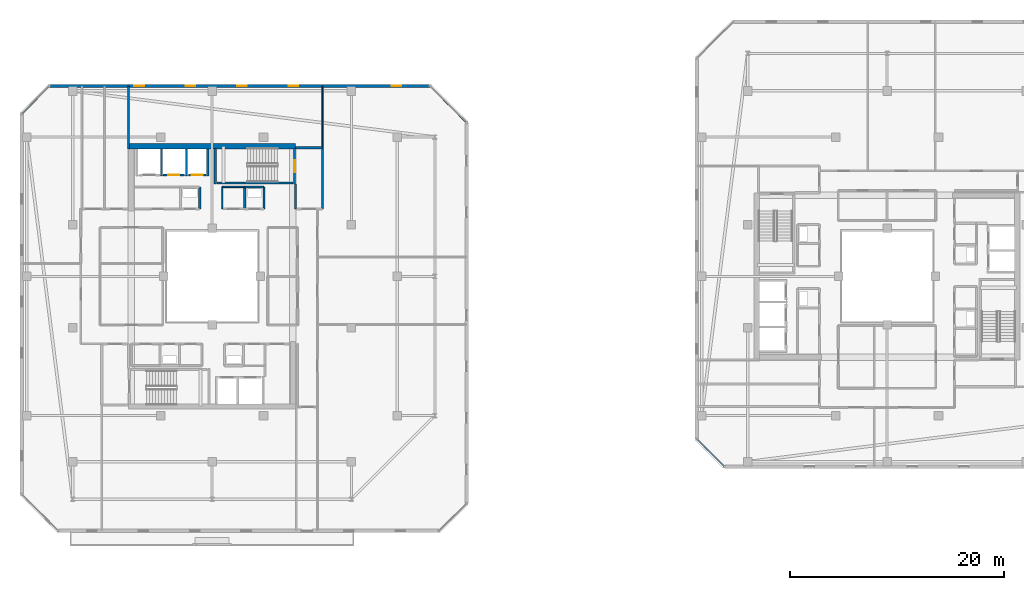
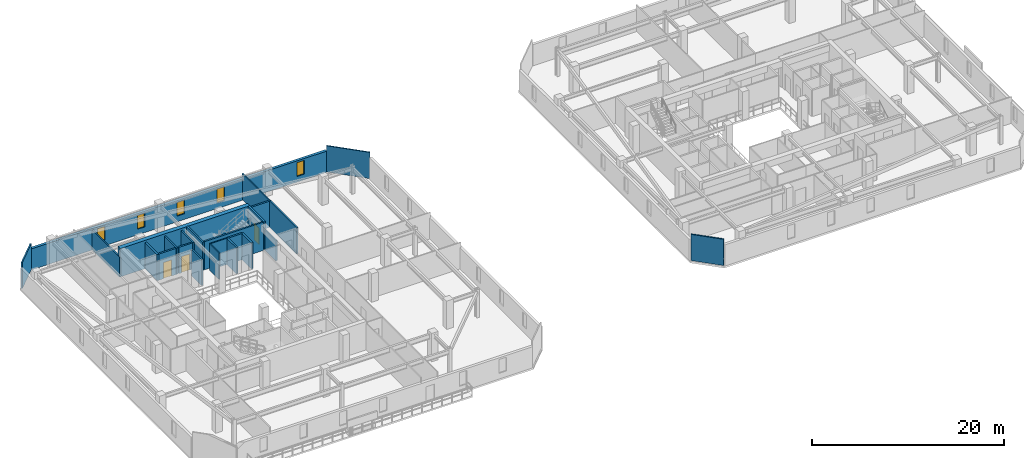
# One storey, part 24 of 35: 24 walls, 5 windows, 3 doors, 8 openings.
"""IFC4 building model written with IfcOpenShell, lengths in metres."""

from ifc_helpers import new_model, si_unit, direction, frame, frame_2d, origin, place, context, subcontext, project, spatial, rectangle, extrude, material, layer, layer_set, type_object, element, fill, save


model = new_model("IFC4")

# Units and contexts
model_context = context("Model", 3, precision=1e-05, world=origin(), true_north=direction((0.0, 1.0)))
body_context = subcontext(model_context, "Body", "Model", "MODEL_VIEW")
ifc_project = project(units=[si_unit("LENGTHUNIT", "METRE"), si_unit("AREAUNIT", "SQUARE_METRE"), si_unit("VOLUMEUNIT", "CUBIC_METRE"), si_unit("PLANEANGLEUNIT", "RADIAN"), si_unit("MASSUNIT", "GRAM", prefix="KILO")], contexts=[model_context])

# Site, building, storey
site_placement = place(None, origin())
site = spatial("IfcSite", under=ifc_project, at=site_placement, CompositionType="ELEMENT")
building_placement = place(site_placement, origin())
building = spatial("IfcBuilding", under=site, at=building_placement, Name="Thornwick Lancets Civic Towers", CompositionType="ELEMENT")
storey_placement = place(building_placement, frame((0.0, 0.0, 265.5)))
storey = spatial("IfcBuildingStorey", under=building, at=storey_placement, Name="L71", CompositionType="ELEMENT", Elevation=265.5)

# Wall, opening, door
ifc_material_1 = material(Name="Concrete blockwork C40/50", Category="masonry")
ifc_layer_1 = layer(ifc_material_1, 0.199951171875, Name="Concrete blockwork C40/50")
ifc_layer_set_1 = layer_set([ifc_layer_1], Name="Concrete blockwork C40/50")
wall_type_1 = type_object("IfcWallType", Name="WALL_COMP_200", PredefinedType="STANDARD", material=ifc_layer_set_1)
wall_1_placement = place(storey_placement, frame((24.919921875, 36.449951171875, 0.0), z_axis=(0.0, 0.0, 1.0), x_axis=(-1.0, 0.0, 0.0)))
wall_1 = element("IfcWall", 1, at=wall_1_placement, inside=storey, type_object=wall_type_1, Name="L71 Hoistway Front Wall FL-A2", PredefinedType="STANDARD", context=body_context, shape_type="SweptSolid", body=[
    extrude(rectangle(XDim=1.639892578125, YDim=0.199951171875, at=frame_2d((0.81982421875, 0.0))), origin(), (0.0, 0.0, 1.0), 3.340087890625),
])
opening_1_placement = place(wall_1_placement, frame((0.31005859375, 0.0, 0.0)))
opening_1 = element("IfcOpeningElement", 2, at=opening_1_placement, cuts=wall_1, Name="Opening LD-FL-A2", PredefinedType="OPENING", context=body_context, shape_type="SweptSolid", body=[
    extrude(rectangle(XDim=1.02001953125, YDim=2.06005859375, at=frame_2d((0.510009765625, 1.030029296875))), frame((0.0, 0.10986328125, 0.0), z_axis=(0.0, -1.0, 0.0), x_axis=(1.0, 0.0, 0.0)), (0.0, 0.0, 1.0), 0.219970703125),
])
ifc_material_2 = material(Name="Brushed bronze stainless steel", Category="steel")
door_type_1 = type_object("IfcDoorType", Name="DOOR_LIFT_SLIDE", OperationType="SLIDING_TO_LEFT", PredefinedType="DOOR", material=ifc_material_2)
door_1_placement = place(opening_1_placement, origin())
door_1 = element("IfcDoor", 3, at=door_1_placement, inside=storey, type_object=door_type_1, Name="L71 Sliding Lift Landing Door LD-FL-A2", OperationType="SLIDING_TO_LEFT", OverallHeight=2.06005859375, OverallWidth=1.02001953125, PredefinedType="DOOR", context=body_context, shape_type="SweptSolid", body=[
    extrude(rectangle(XDim=1.02001953125, YDim=2.06005859375, at=frame_2d((0.510009765625, 1.030029296875))), frame((0.0, 0.02490234375, 0.0), z_axis=(0.0, -1.0, 0.0), x_axis=(1.0, 0.0, 0.0)), (0.0, 0.0, 1.0), 0.050048828125),
])
fill(opening_1, door_1)

wall_2_placement = place(storey_placement, frame((22.919921875, 36.449951171875, 0.0), z_axis=(0.0, 0.0, 1.0), x_axis=(-1.0, 0.0, 0.0)))
wall_2 = element("IfcWall", 4, at=wall_2_placement, inside=storey, type_object=wall_type_1, Name="L71 Hoistway Front Wall PL-AH2", PredefinedType="STANDARD", context=body_context, shape_type="SweptSolid", body=[
    extrude(rectangle(XDim=1.989990234375, YDim=0.199951171875, at=frame_2d((0.9951171875, 0.0))), origin(), (0.0, 0.0, 1.0), 3.340087890625),
])
opening_2_placement = place(wall_2_placement, frame((0.485107421875, 0.0, 0.0)))
opening_2 = element("IfcOpeningElement", 5, at=opening_2_placement, cuts=wall_2, Name="Opening LD-PL-AH2", PredefinedType="OPENING", context=body_context, shape_type="SweptSolid", body=[
    extrude(rectangle(XDim=1.02001953125, YDim=2.06005859375, at=frame_2d((0.510009765625, 1.030029296875))), frame((0.0, 0.10986328125, 0.0), z_axis=(0.0, -1.0, 0.0), x_axis=(1.0, 0.0, 0.0)), (0.0, 0.0, 1.0), 0.219970703125),
])
door_2_placement = place(opening_2_placement, origin())
door_2 = element("IfcDoor", 6, at=door_2_placement, inside=storey, type_object=door_type_1, Name="L71 Sliding Lift Landing Door LD-PL-AH2", OperationType="SLIDING_TO_LEFT", OverallHeight=2.06005859375, OverallWidth=1.02001953125, PredefinedType="DOOR", context=body_context, shape_type="SweptSolid", body=[
    extrude(rectangle(XDim=1.02001953125, YDim=2.06005859375, at=frame_2d((0.510009765625, 1.030029296875))), frame((0.0, 0.02490234375, 0.0), z_axis=(0.0, -1.0, 0.0), x_axis=(1.0, 0.0, 0.0)), (0.0, 0.0, 1.0), 0.050048828125),
])
fill(opening_2, door_2)

# Walls
for number, where, z_axis, x_axis, name in (
    (7, (25.10009765625, 36.35205078125, 0.0), (0.0, 0.0, 1.0), (0.0, 1.0, 0.0), "L71 Hoistway Shaft Wall FL-A2 E"),
    (8, (23.10009765625, 36.35205078125, 0.0), (0.0, 0.0, 1.0), (0.0, 1.0, 0.0), "L71 Hoistway Shaft Wall FL-A2 W"),
    (9, (20.77490234375, 36.35205078125, 0.0), (0.0, 0.0, 1.0), (0.0, 1.0, 0.0), "L71 Hoistway Shaft Wall PL-AH2 W"),
):
    element("IfcWall", number, at=place(storey_placement, frame(where, z_axis=z_axis, x_axis=x_axis)), inside=storey, type_object=wall_type_1, Name=name, PredefinedType="STANDARD", context=body_context, shape_type="SweptSolid", body=[
        extrude(rectangle(XDim=2.535888671875, YDim=0.199951171875, at=frame_2d((1.26806640625, 0.0))), origin(), (0.0, 0.0, 1.0), 3.340087890625),
    ])
wall_3_placement = place(storey_placement, frame((35.800048828125, 33.300048828125, 0.0), z_axis=(0.0, 0.0, 1.0), x_axis=(0.0, 1.0, 0.0)))
element("IfcWall", 10, at=wall_3_placement, inside=storey, type_object=wall_type_1, Name="L71 Partition L71-A-FFLOB2 E2", PredefinedType="STANDARD", context=body_context, shape_type="SweptSolid", body=[
    extrude(rectangle(XDim=5.699951171875, YDim=0.199951171875, at=frame_2d((2.85009765625, 0.0))), origin(), (0.0, 0.0, 1.0), 3.340087890625),
])
wall_4_placement = place(storey_placement, frame((35.800048828125, 39.0, 0.0), z_axis=(0.0, 0.0, 1.0), x_axis=(-1.0, 0.0, 0.0)))
element("IfcWall", 11, at=wall_4_placement, inside=storey, type_object=wall_type_1, Name="L71 Partition L71-A-FFLOB2 E3", PredefinedType="STANDARD", context=body_context, shape_type="SweptSolid", body=[
    extrude(rectangle(XDim=2.5, YDim=0.199951171875, at=frame_2d((1.25, 0.0))), origin(), (0.0, 0.0, 1.0), 3.340087890625),
])
wall_5_placement = place(storey_placement, frame((33.300048828125, 35.60009765625, 0.0), z_axis=(0.0, 0.0, 1.0), x_axis=(0.0, -1.0, 0.0)))
element("IfcWall", 12, at=wall_5_placement, inside=storey, type_object=wall_type_1, Name="L71 Partition L71-A-FFLOB2 E4", PredefinedType="STANDARD", context=body_context, shape_type="SweptSolid", body=[
    extrude(rectangle(XDim=2.300048828125, YDim=0.199951171875, at=frame_2d((1.14990234375, 0.0))), origin(), (0.0, 0.0, 1.0), 2.544921875),
])
for number, where, z_axis, x_axis, name in (
    (13, (24.35009765625, 33.300048828125, 0.0), (0.0, 0.0, 1.0), (0.0, 1.0, 0.0), "L71 Partition L71-A-DUCT2 E2"),
    (14, (30.35009765625, 33.300048828125, 0.0), (0.0, 0.0, 1.0), (0.0, 1.0, 0.0), "L71 Partition L71-A-RISER2 E2"),
):
    element("IfcWall", number, at=place(storey_placement, frame(where, z_axis=z_axis, x_axis=x_axis)), inside=storey, type_object=wall_type_1, Name=name, PredefinedType="STANDARD", context=body_context, shape_type="SweptSolid", body=[
        extrude(rectangle(XDim=2.050048828125, YDim=0.199951171875, at=frame_2d((1.02490234375, 0.0))), origin(), (0.0, 0.0, 1.0), 3.340087890625),
    ])
wall_6_placement = place(storey_placement, frame((30.35009765625, 35.35009765625, 0.0), z_axis=(0.0, 0.0, 1.0), x_axis=(-1.0, 0.0, 0.0)))
element("IfcWall", 15, at=wall_6_placement, inside=storey, type_object=wall_type_1, Name="L71 Partition L71-A-RISER2 E3", PredefinedType="STANDARD", context=body_context, shape_type="SweptSolid", body=[
    extrude(rectangle(XDim=1.800048828125, YDim=0.199951171875, at=frame_2d((0.89990234375, 0.0))), origin(), (0.0, 0.0, 1.0), 3.340087890625),
])
wall_7_placement = place(storey_placement, frame((28.550048828125, 35.35009765625, 0.0), z_axis=(0.0, 0.0, 1.0), x_axis=(0.0, -1.0, 0.0)))
element("IfcWall", 16, at=wall_7_placement, inside=storey, type_object=wall_type_1, Name="L71 Partition L71-A-RISER2 E4", PredefinedType="STANDARD", context=body_context, shape_type="SweptSolid", body=[
    extrude(rectangle(XDim=2.050048828125, YDim=0.199951171875, at=frame_2d((1.02490234375, 0.0))), origin(), (0.0, 0.0, 1.0), 3.340087890625),
])
ifc_material_3 = material(Name="Concrete C50/60", Category="concrete")
ifc_layer_2 = layer(ifc_material_3, 0.5, Name="Concrete C50/60")
ifc_layer_set_2 = layer_set([ifc_layer_2], Name="Concrete C50/60")
wall_type_2 = type_object("IfcWallType", Name="WALL_CORE_500", PredefinedType="SHEAR", material=ifc_layer_set_2)
wall_8_placement = place(storey_placement, frame((17.699951171875, 39.14990234375, 0.0), z_axis=(0.0, 0.0, 1.0), x_axis=(1.0, 0.0, 0.0)))
element("IfcWall", 17, at=wall_8_placement, inside=storey, type_object=wall_type_2, Name="L71 Split Core A2 Shear Wall N", PredefinedType="SHEAR", context=body_context, shape_type="SweptSolid", body=[
    extrude(rectangle(XDim=15.60009765625, YDim=0.5, at=frame_2d((7.800048828125, 0.0))), origin(), (0.0, 0.0, 1.0), 3.60009765625),
])

# Wall, openings, windows
ifc_material_4 = material(Name="Insulated buff terracotta rainscreen on concrete C40/50", Category="masonry")
ifc_layer_3 = layer(ifc_material_4, 0.320068359375, Name="Insulated buff terracotta rainscreen on concrete C40/50")
ifc_layer_set_3 = layer_set([ifc_layer_3], Name="Insulated buff terracotta rainscreen on concrete C40/50")
wall_type_3 = type_object("IfcWallType", Name="WALL_EXT_TERRA_320", PredefinedType="STANDARD", material=ifc_layer_set_3)
wall_9_placement = place(storey_placement, frame((45.853515625, 44.761962890625, 0.0), z_axis=(0.0, 0.0, 1.0), x_axis=(-0.999999997144, 7.5574884e-05, 0.0)))
wall_9 = element("IfcWall", 18, at=wall_9_placement, inside=storey, type_object=wall_type_3, Name="L71 Tower A Terracotta Facade Wall E4", PredefinedType="STANDARD", context=body_context, shape_type="SweptSolid", body=[
    extrude(rectangle(XDim=35.534912109375, YDim=0.320068359375, at=frame_2d((17.767578125, 0.0))), origin(), (0.0, 0.0, 1.0), 2.699951171875),
])
opening_3_placement = place(wall_9_placement, frame((2.699951171875, 0.0, 0.719970703125)))
opening_3 = element("IfcOpeningElement", 19, at=opening_3_placement, cuts=wall_9, Name="Opening WL-01", PredefinedType="OPENING", context=body_context, shape_type="SweptSolid", body=[
    extrude(rectangle(XDim=0.89990234375, YDim=1.75, at=frame_2d((0.449951171875, 0.875))), frame((0.0, 0.169921875, 0.0), z_axis=(0.0, -1.0, 0.0), x_axis=(1.0, 0.0, 0.0)), (0.0, 0.0, 1.0), 0.340087890625),
])
opening_4_placement = place(wall_9_placement, frame((12.300048828125, 0.0, 0.719970703125)))
opening_4 = element("IfcOpeningElement", 20, at=opening_4_placement, cuts=wall_9, Name="Opening WL-01", PredefinedType="OPENING", context=body_context, shape_type="SweptSolid", body=[
    extrude(rectangle(XDim=0.89990234375, YDim=1.75, at=frame_2d((0.449951171875, 0.875))), frame((0.0, 0.169921875, 0.0), z_axis=(0.0, -1.0, 0.0), x_axis=(1.0, 0.0, 0.0)), (0.0, 0.0, 1.0), 0.340087890625),
])
opening_5_placement = place(wall_9_placement, frame((17.10009765625, 0.0, 0.719970703125)))
opening_5 = element("IfcOpeningElement", 21, at=opening_5_placement, cuts=wall_9, Name="Opening WL-01", PredefinedType="OPENING", context=body_context, shape_type="SweptSolid", body=[
    extrude(rectangle(XDim=0.89990234375, YDim=1.75, at=frame_2d((0.449951171875, 0.875))), frame((0.0, 0.169921875, 0.0), z_axis=(0.0, -1.0, 0.0), x_axis=(1.0, 0.0, 0.0)), (0.0, 0.0, 1.0), 0.340087890625),
])
opening_6_placement = place(wall_9_placement, frame((21.89990234375, 0.0, 0.719970703125)))
opening_6 = element("IfcOpeningElement", 22, at=opening_6_placement, cuts=wall_9, Name="Opening WL-01", PredefinedType="OPENING", context=body_context, shape_type="SweptSolid", body=[
    extrude(rectangle(XDim=0.89990234375, YDim=1.75, at=frame_2d((0.449951171875, 0.875))), frame((0.0, 0.169921875, 0.0), z_axis=(0.0, -1.0, 0.0), x_axis=(1.0, 0.0, 0.0)), (0.0, 0.0, 1.0), 0.340087890625),
])
opening_7_placement = place(wall_9_placement, frame((26.699951171875, 0.0, 0.719970703125)))
opening_7 = element("IfcOpeningElement", 23, at=opening_7_placement, cuts=wall_9, Name="Opening WL-01", PredefinedType="OPENING", context=body_context, shape_type="SweptSolid", body=[
    extrude(rectangle(XDim=0.89990234375, YDim=1.75, at=frame_2d((0.449951171875, 0.875))), frame((0.0, 0.169921875, 0.0), z_axis=(0.0, -1.0, 0.0), x_axis=(1.0, 0.0, 0.0)), (0.0, 0.0, 1.0), 0.340087890625),
])
ifc_material_5 = material(Name="Clear low-e double glazing in bronze frame", Category="glass")
window_type = type_object("IfcWindowType", Name="WIN_LANCET_900", PartitioningType="SINGLE_PANEL", PredefinedType="WINDOW", material=ifc_material_5)
window_1_placement = place(opening_3_placement, origin())
window_1 = element("IfcWindow", 24, at=window_1_placement, inside=storey, type_object=window_type, Name="L71 Tower A Staggered Lancet Window E4-1", OverallHeight=1.75, OverallWidth=0.89990234375, PartitioningType="SINGLE_PANEL", PredefinedType="WINDOW", context=body_context, shape_type="SweptSolid", body=[
    extrude(rectangle(XDim=0.89990234375, YDim=1.75, at=frame_2d((0.449951171875, 0.875))), frame((0.0, 0.030029296875, 0.0), z_axis=(0.0, -1.0, 0.0), x_axis=(1.0, 0.0, 0.0)), (0.0, 0.0, 1.0), 0.06005859375),
])
fill(opening_3, window_1)
window_2_placement = place(opening_4_placement, origin())
window_2 = element("IfcWindow", 25, at=window_2_placement, inside=storey, type_object=window_type, Name="L71 Tower A Staggered Lancet Window E4-2", OverallHeight=1.75, OverallWidth=0.89990234375, PartitioningType="SINGLE_PANEL", PredefinedType="WINDOW", context=body_context, shape_type="SweptSolid", body=[
    extrude(rectangle(XDim=0.89990234375, YDim=1.75, at=frame_2d((0.449951171875, 0.875))), frame((0.0, 0.030029296875, 0.0), z_axis=(0.0, -1.0, 0.0), x_axis=(1.0, 0.0, 0.0)), (0.0, 0.0, 1.0), 0.06005859375),
])
fill(opening_4, window_2)
window_3_placement = place(opening_5_placement, origin())
window_3 = element("IfcWindow", 26, at=window_3_placement, inside=storey, type_object=window_type, Name="L71 Tower A Staggered Lancet Window E4-3", OverallHeight=1.75, OverallWidth=0.89990234375, PartitioningType="SINGLE_PANEL", PredefinedType="WINDOW", context=body_context, shape_type="SweptSolid", body=[
    extrude(rectangle(XDim=0.89990234375, YDim=1.75, at=frame_2d((0.449951171875, 0.875))), frame((0.0, 0.030029296875, 0.0), z_axis=(0.0, -1.0, 0.0), x_axis=(1.0, 0.0, 0.0)), (0.0, 0.0, 1.0), 0.06005859375),
])
fill(opening_5, window_3)
window_4_placement = place(opening_6_placement, origin())
window_4 = element("IfcWindow", 27, at=window_4_placement, inside=storey, type_object=window_type, Name="L71 Tower A Staggered Lancet Window E4-4", OverallHeight=1.75, OverallWidth=0.89990234375, PartitioningType="SINGLE_PANEL", PredefinedType="WINDOW", context=body_context, shape_type="SweptSolid", body=[
    extrude(rectangle(XDim=0.89990234375, YDim=1.75, at=frame_2d((0.449951171875, 0.875))), frame((0.0, 0.030029296875, 0.0), z_axis=(0.0, -1.0, 0.0), x_axis=(1.0, 0.0, 0.0)), (0.0, 0.0, 1.0), 0.06005859375),
])
fill(opening_6, window_4)
window_5_placement = place(opening_7_placement, origin())
window_5 = element("IfcWindow", 28, at=window_5_placement, inside=storey, type_object=window_type, Name="L71 Tower A Staggered Lancet Window E4-5", OverallHeight=1.75, OverallWidth=0.89990234375, PartitioningType="SINGLE_PANEL", PredefinedType="WINDOW", context=body_context, shape_type="SweptSolid", body=[
    extrude(rectangle(XDim=0.89990234375, YDim=1.75, at=frame_2d((0.449951171875, 0.875))), frame((0.0, 0.030029296875, 0.0), z_axis=(0.0, -1.0, 0.0), x_axis=(1.0, 0.0, 0.0)), (0.0, 0.0, 1.0), 0.06005859375),
])
fill(opening_7, window_5)

# Walls
ifc_material_6 = material(Name="Acoustic gypsum board partition")
ifc_layer_4 = layer(ifc_material_6, 0.1201171875, Name="Acoustic gypsum board partition")
ifc_layer_set_4 = layer_set([ifc_layer_4], Name="Acoustic gypsum board partition")
wall_type_4 = type_object("IfcWallType", Name="WALL_PART_120", PredefinedType="PARTITIONING", material=ifc_layer_set_4)
wall_10_placement = place(storey_placement, frame((26.449951171875, 33.300048828125, 0.0), z_axis=(0.0, 0.0, 1.0), x_axis=(0.0, 1.0, 0.0)))
element("IfcWall", 29, at=wall_10_placement, inside=storey, type_object=wall_type_4, Name="L71 Partition L71-A-ITR E1", PredefinedType="PARTITIONING", context=body_context, shape_type="SweptSolid", body=[
    extrude(rectangle(XDim=2.050048828125, YDim=0.1201171875, at=frame_2d((1.02490234375, 0.0))), origin(), (0.0, 0.0, 1.0), 3.340087890625),
])
wall_11_placement = place(storey_placement, frame((26.449951171875, 35.35009765625, 0.0), z_axis=(0.0, 0.0, 1.0), x_axis=(1.0, 0.0, 0.0)))
element("IfcWall", 30, at=wall_11_placement, inside=storey, type_object=wall_type_4, Name="L71 Partition L71-A-ITR E2", PredefinedType="PARTITIONING", context=body_context, shape_type="SweptSolid", body=[
    extrude(rectangle(XDim=2.10009765625, YDim=0.1201171875, at=frame_2d((1.050048828125, 0.0))), origin(), (0.0, 0.0, 1.0), 3.340087890625),
])
wall_12_placement = place(storey_placement, frame((35.800048828125, 39.0, 0.0), z_axis=(0.0, 0.0, 1.0), x_axis=(0.0, 1.0, 0.0)))
element("IfcWall", 31, at=wall_12_placement, inside=storey, type_object=wall_type_4, Name="L71 Partition L71-A-E3 E3", PredefinedType="PARTITIONING", context=body_context, shape_type="SweptSolid", body=[
    extrude(rectangle(XDim=5.719970703125, YDim=0.1201171875, at=frame_2d((2.85986328125, 0.0))), origin(), (0.0, 0.0, 1.0), 3.340087890625),
])
wall_13_placement = place(storey_placement, frame((45.894287109375, 44.719970703125, 0.0), z_axis=(0.0, 0.0, 1.0), x_axis=(0.707106781187, -0.707106781187, 0.0)))
element("IfcWall", 32, at=wall_13_placement, inside=storey, type_object=wall_type_4, Name="L71 Partition L71-A-E3 E5", PredefinedType="PARTITIONING", context=body_context, shape_type="SweptSolid", body=[
    extrude(rectangle(XDim=4.703125, YDim=0.1201171875, at=frame_2d((2.3515625, 0.0))), origin(), (0.0, 0.0, 1.0), 3.340087890625),
])
ifc_material_7 = material(Name="Twin-stud acoustic gypsum board")
ifc_layer_5 = layer(ifc_material_7, 0.14990234375, Name="Twin-stud acoustic gypsum board")
ifc_layer_set_5 = layer_set([ifc_layer_5], Name="Twin-stud acoustic gypsum board")
wall_type_5 = type_object("IfcWallType", Name="WALL_PART_150", PredefinedType="PARTITIONING", material=ifc_layer_set_5)
wall_14_placement = place(storey_placement, frame((17.699951171875, 44.719970703125, 0.0), z_axis=(0.0, 0.0, 1.0), x_axis=(0.0, -1.0, 0.0)))
element("IfcWall", 33, at=wall_14_placement, inside=storey, type_object=wall_type_5, Name="L71 Partition L71-A-RECLAIM-M2 E3", PredefinedType="PARTITIONING", context=body_context, shape_type="SweptSolid", body=[
    extrude(rectangle(XDim=5.820068359375, YDim=0.14990234375, at=frame_2d((2.91015625, 0.0))), origin(), (0.0, 0.0, 1.0), 2.544921875),
])
for number, where, z_axis, x_axis, name in (
    (34, (7.780029296875, 42.225341796875, 0.0), (0.0, 0.0, 1.0), (0.707106781187, 0.707106781187, 0.0), "L71 Partition L71-A-W2 E2"),
    (35, (73.274658203125, 9.280029296875, 0.0), (0.0, 0.0, 1.0), (-0.707106781187, 0.707106781187, 0.0), "L71 Partition L71-B-W2 E2"),
):
    element("IfcWall", number, at=place(storey_placement, frame(where, z_axis=z_axis, x_axis=x_axis)), inside=storey, type_object=wall_type_5, Name=name, PredefinedType="PARTITIONING", context=body_context, shape_type="SweptSolid", body=[
        extrude(rectangle(XDim=3.52783203125, YDim=0.14990234375, at=frame_2d((1.763916015625, 0.0))), origin(), (0.0, 0.0, 1.0), 3.340087890625),
    ])

# Wall, opening, door
ifc_material_8 = material(Name="Concrete C40/50", Category="concrete")
ifc_layer_6 = layer(ifc_material_8, 0.199951171875, Name="Concrete C40/50")
ifc_layer_set_6 = layer_set([ifc_layer_6], Name="Concrete C40/50")
wall_type_6 = type_object("IfcWallType", Name="WALL_SHAFT_200", PredefinedType="SHEAR", material=ifc_layer_set_6)
wall_15_placement = place(storey_placement, frame((33.199951171875, 38.949951171875, 0.0), z_axis=(0.0, 0.0, 1.0), x_axis=(0.0, -1.0, 0.0)))
wall_15 = element("IfcWall", 36, at=wall_15_placement, inside=storey, type_object=wall_type_6, Name="L71 ST-A2 Fire Stair Core Wall NEAR", PredefinedType="SHEAR", context=body_context, shape_type="SweptSolid", body=[
    extrude(rectangle(XDim=3.349853515625, YDim=0.199951171875, at=frame_2d((1.6748046875, 0.0))), origin(), (0.0, 0.0, 1.0), 3.60009765625),
])
opening_8_placement = place(wall_15_placement, frame((1.125, 0.0, 0.0)))
opening_8 = element("IfcOpeningElement", 37, at=opening_8_placement, cuts=wall_15, Name="Opening D-ST-A2-L71", PredefinedType="OPENING", context=body_context, shape_type="SweptSolid", body=[
    extrude(rectangle(XDim=1.10009765625, YDim=2.10009765625, at=frame_2d((0.550048828125, 1.050048828125))), frame((0.0, 0.10986328125, 0.0), z_axis=(0.0, -1.0, 0.0), x_axis=(1.0, 0.0, 0.0)), (0.0, 0.0, 1.0), 0.219970703125),
])
ifc_material_9 = material(Name="Fire-resisting steel and hardwood", Category="steel")
door_type_2 = type_object("IfcDoorType", Name="DOOR_STAIR_FD60", OperationType="NOTDEFINED", PredefinedType="DOOR", material=ifc_material_9)
door_3_placement = place(opening_8_placement, origin())
door_3 = element("IfcDoor", 38, at=door_3_placement, inside=storey, type_object=door_type_2, Name="L71 ST-A2 Exit Stair Door", OperationType="SINGLE_SWING_LEFT", OverallHeight=2.10009765625, OverallWidth=1.10009765625, PredefinedType="DOOR", context=body_context, shape_type="SweptSolid", body=[
    extrude(rectangle(XDim=1.10009765625, YDim=2.10009765625, at=frame_2d((0.550048828125, 1.050048828125))), frame((0.0, 0.02490234375, 0.0), z_axis=(0.0, -1.0, 0.0), x_axis=(1.0, 0.0, 0.0)), (0.0, 0.0, 1.0), 0.050048828125),
])
fill(opening_8, door_3)

# Walls
wall_16_placement = place(storey_placement, frame((25.800048828125, 35.60009765625, 0.0), z_axis=(0.0, 0.0, 1.0), x_axis=(0.0, 1.0, 0.0)))
element("IfcWall", 39, at=wall_16_placement, inside=storey, type_object=wall_type_6, Name="L71 ST-A2 Fire Stair Core Wall FAR", PredefinedType="SHEAR", context=body_context, shape_type="SweptSolid", body=[
    extrude(rectangle(XDim=3.349853515625, YDim=0.199951171875, at=frame_2d((1.6748046875, 0.0))), origin(), (0.0, 0.0, 1.0), 3.60009765625),
])
wall_17_placement = place(storey_placement, frame((25.949951171875, 35.702880859375, 0.0), z_axis=(0.0, 0.0, 1.0), x_axis=(1.0, 0.0, 0.0)))
element("IfcWall", 40, at=wall_17_placement, inside=storey, type_object=wall_type_6, Name="L71 ST-A2 Fire Stair Core Wall RIGHT", PredefinedType="SHEAR", context=body_context, shape_type="SweptSolid", body=[
    extrude(rectangle(XDim=7.10009765625, YDim=0.199951171875, at=frame_2d((3.550048828125, 0.0))), origin(), (0.0, 0.0, 1.0), 3.60009765625),
])

save(model, "model.ifc")
